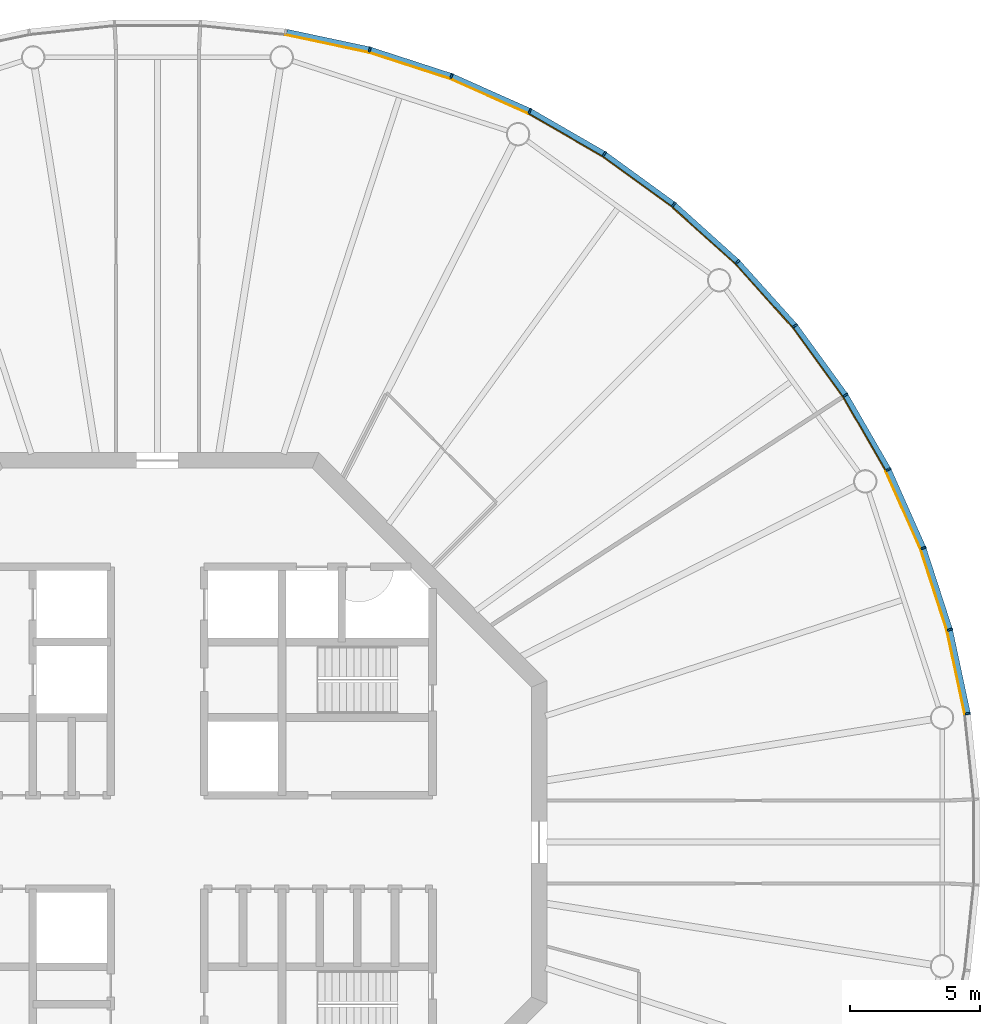
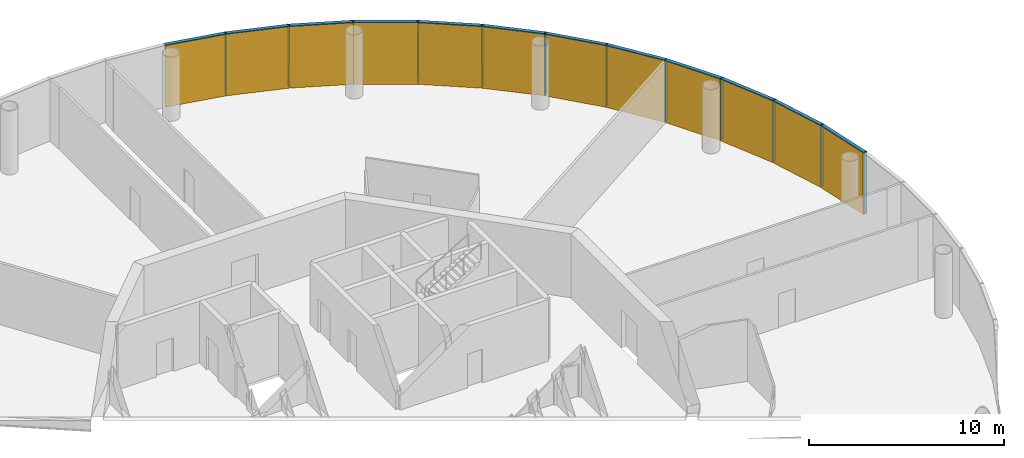
# One storey, part 12 of 13: 24 members, 4 curtain walls.
"""IFC4 building model written with IfcOpenShell, lengths in metres."""

from ifc_helpers import new_model, si_unit, direction, frame, origin, origin_2d, place, context, subcontext, project, spatial, polyline, rectangle, outline, extrude, material, layer, layer_set, material_profile, profile_set, type_object, element, aggregate, save


model = new_model("IFC4")

# Units and contexts
model_context = context("Model", 3, precision=1e-05, world=origin(), true_north=direction((0.0, 1.0)))
body_context = subcontext(model_context, "Body", "Model", "MODEL_VIEW")
ifc_project = project(units=[si_unit("LENGTHUNIT", "METRE"), si_unit("AREAUNIT", "SQUARE_METRE"), si_unit("VOLUMEUNIT", "CUBIC_METRE"), si_unit("PLANEANGLEUNIT", "RADIAN"), si_unit("MASSUNIT", "GRAM", prefix="KILO")], contexts=[model_context])

# Member
ifc_material_1 = material(Name="Anodised aluminium", Category="aluminium")
ifc_material_profile_1 = material_profile(ifc_material_1, rectangle(XDim=0.070068359375, YDim=0.205078125, at=origin_2d()), Name="Mullion 70 x 205 mm anodised aluminium")
ifc_profile_set_1 = profile_set([ifc_material_profile_1], Name="Anodised aluminium")
member_type_1 = type_object("IfcMemberType", Name="Mullion 70 x 205 mm anodised aluminium", PredefinedType="MULLION", material=ifc_profile_set_1)
site_placement = place(None, origin())
building_placement = place(site_placement, origin())
storey_placement = place(building_placement, frame((0.0, 0.0, 360.0)))
member_1_placement = place(storey_placement, frame((121.21337890625, 84.943603515625, 0.0), z_axis=(0.0, 0.0, 1.0), x_axis=(-0.15643446504, 0.987688340595, 0.0)))
member_1 = element("IfcMember", 1, at=member_1_placement, type_object=member_type_1, Name="MULLION L83-00", PredefinedType="MULLION", context=body_context, shape_type="SweptSolid", body=[
    extrude(rectangle(XDim=0.070068359375, YDim=0.205078125, at=origin_2d()), origin(), (0.0, 0.0, 1.0), 3.85009765625),
])

member_2_placement = place(storey_placement, frame((120.525634765625, 88.179443359375, 0.0), z_axis=(0.0, 0.0, 1.0), x_axis=(-0.258819045103, 0.965925826289, 0.0)))
member_2 = element("IfcMember", 2, at=member_2_placement, type_object=member_type_1, Name="MULLION L83-01", PredefinedType="MULLION", context=body_context, shape_type="SweptSolid", body=[
    extrude(rectangle(XDim=0.070068359375, YDim=0.205078125, at=origin_2d()), origin(), (0.0, 0.0, 1.0), 3.85009765625),
])

member_3_placement = place(storey_placement, frame((119.50341796875, 91.325439453125, 0.0), z_axis=(0.0, 0.0, 1.0), x_axis=(-0.358367949545, 0.933580426497, 0.0)))
member_3 = element("IfcMember", 3, at=member_3_placement, type_object=member_type_1, Name="MULLION L83-02", PredefinedType="MULLION", context=body_context, shape_type="SweptSolid", body=[
    extrude(rectangle(XDim=0.070068359375, YDim=0.205078125, at=origin_2d()), origin(), (0.0, 0.0, 1.0), 3.85009765625),
])

member_4_placement = place(storey_placement, frame((118.157958984375, 94.34716796875, 0.0), z_axis=(0.0, 0.0, 1.0), x_axis=(-0.45399049974, 0.891006524188, 0.0)))
member_4 = element("IfcMember", 4, at=member_4_placement, type_object=member_type_1, Name="MULLION L83-03", PredefinedType="MULLION", context=body_context, shape_type="SweptSolid", body=[
    extrude(rectangle(XDim=0.070068359375, YDim=0.205078125, at=origin_2d()), origin(), (0.0, 0.0, 1.0), 3.85009765625),
])

member_5_placement = place(storey_placement, frame((116.504150390625, 97.2119140625, 0.0), z_axis=(0.0, 0.0, 1.0), x_axis=(-0.544639035015, 0.838670567945, 0.0)))
member_5 = element("IfcMember", 5, at=member_5_placement, type_object=member_type_1, Name="MULLION L83-04", PredefinedType="MULLION", context=body_context, shape_type="SweptSolid", body=[
    extrude(rectangle(XDim=0.070068359375, YDim=0.205078125, at=origin_2d()), origin(), (0.0, 0.0, 1.0), 3.85009765625),
])

member_6_placement = place(storey_placement, frame((114.559814453125, 99.88818359375, 0.0), z_axis=(0.0, 0.0, 1.0), x_axis=(-0.62932039105, 0.777145961457, 0.0)))
member_6 = element("IfcMember", 6, at=member_6_placement, type_object=member_type_1, Name="MULLION L83-05", PredefinedType="MULLION", context=body_context, shape_type="SweptSolid", body=[
    extrude(rectangle(XDim=0.070068359375, YDim=0.205078125, at=origin_2d()), origin(), (0.0, 0.0, 1.0), 3.85009765625),
])

member_7_placement = place(storey_placement, frame((112.346435546875, 102.346435546875, 0.0), z_axis=(0.0, 0.0, 1.0), x_axis=(-0.707106781187, 0.707106781187, 0.0)))
member_7 = element("IfcMember", 7, at=member_7_placement, type_object=member_type_1, Name="MULLION L83-06", PredefinedType="MULLION", context=body_context, shape_type="SweptSolid", body=[
    extrude(rectangle(XDim=0.070068359375, YDim=0.205078125, at=origin_2d()), origin(), (0.0, 0.0, 1.0), 3.85009765625),
])

member_8_placement = place(storey_placement, frame((109.88818359375, 104.559814453125, 0.0), z_axis=(0.0, 0.0, 1.0), x_axis=(-0.777145961457, 0.62932039105, 0.0)))
member_8 = element("IfcMember", 8, at=member_8_placement, type_object=member_type_1, Name="MULLION L83-07", PredefinedType="MULLION", context=body_context, shape_type="SweptSolid", body=[
    extrude(rectangle(XDim=0.070068359375, YDim=0.205078125, at=origin_2d()), origin(), (0.0, 0.0, 1.0), 3.85009765625),
])

member_9_placement = place(storey_placement, frame((107.2119140625, 106.504150390625, 0.0), z_axis=(0.0, 0.0, 1.0), x_axis=(-0.838670567945, 0.544639035015, 0.0)))
member_9 = element("IfcMember", 9, at=member_9_placement, type_object=member_type_1, Name="MULLION L83-08", PredefinedType="MULLION", context=body_context, shape_type="SweptSolid", body=[
    extrude(rectangle(XDim=0.070068359375, YDim=0.205078125, at=origin_2d()), origin(), (0.0, 0.0, 1.0), 3.85009765625),
])

member_10_placement = place(storey_placement, frame((104.34716796875, 108.157958984375, 0.0), z_axis=(0.0, 0.0, 1.0), x_axis=(-0.891006524188, 0.45399049974, 0.0)))
member_10 = element("IfcMember", 10, at=member_10_placement, type_object=member_type_1, Name="MULLION L83-09", PredefinedType="MULLION", context=body_context, shape_type="SweptSolid", body=[
    extrude(rectangle(XDim=0.070068359375, YDim=0.205078125, at=origin_2d()), origin(), (0.0, 0.0, 1.0), 3.85009765625),
])

member_11_placement = place(storey_placement, frame((101.325439453125, 109.50341796875, 0.0), z_axis=(0.0, 0.0, 1.0), x_axis=(-0.933580426497, 0.358367949545, 0.0)))
member_11 = element("IfcMember", 11, at=member_11_placement, type_object=member_type_1, Name="MULLION L83-10", PredefinedType="MULLION", context=body_context, shape_type="SweptSolid", body=[
    extrude(rectangle(XDim=0.070068359375, YDim=0.205078125, at=origin_2d()), origin(), (0.0, 0.0, 1.0), 3.85009765625),
])

member_12_placement = place(storey_placement, frame((98.179443359375, 110.525634765625, 0.0), z_axis=(0.0, 0.0, 1.0), x_axis=(-0.965925826289, 0.258819045103, 0.0)))
member_12 = element("IfcMember", 12, at=member_12_placement, type_object=member_type_1, Name="MULLION L83-11", PredefinedType="MULLION", context=body_context, shape_type="SweptSolid", body=[
    extrude(rectangle(XDim=0.070068359375, YDim=0.205078125, at=origin_2d()), origin(), (0.0, 0.0, 1.0), 3.85009765625),
])

ifc_material_2 = material(Name="Anodised aluminium", Category="aluminium")
ifc_material_profile_2 = material_profile(ifc_material_2, rectangle(XDim=0.205078125, YDim=0.195068359375, at=origin_2d()), Name="Transom 195 x 205 mm anodised aluminium")
ifc_profile_set_2 = profile_set([ifc_material_profile_2], Name="Anodised aluminium")
member_type_2 = type_object("IfcMemberType", Name="Transom 195 x 205 mm anodised aluminium", PredefinedType="USERDEFINED", material=ifc_profile_set_2)
member_13_placement = place(storey_placement, frame((121.205078125, 84.983154296875, 3.75244140625), z_axis=(-0.207885898771, 0.978153082647, 0.0), x_axis=(-0.978153082647, -0.207885898771, 0.0)))
member_13 = element("IfcMember", 13, at=member_13_placement, type_object=member_type_2, Name="TRANSOM L83-00", ObjectType="TRANSOM", PredefinedType="USERDEFINED", context=body_context, shape_type="SweptSolid", body=[
    extrude(rectangle(XDim=0.205078125, YDim=0.195068359375, at=origin_2d()), origin(), (0.0, 0.0, 1.0), 3.227294921875),
])

member_14_placement = place(storey_placement, frame((120.513427734375, 88.2177734375, 3.75244140625), z_axis=(-0.309046726844, 0.951046855117, 0.0), x_axis=(-0.951046855117, -0.309046726844, 0.0)))
member_14 = element("IfcMember", 14, at=member_14_placement, type_object=member_type_2, Name="TRANSOM L83-01", ObjectType="TRANSOM", PredefinedType="USERDEFINED", context=body_context, shape_type="SweptSolid", body=[
    extrude(rectangle(XDim=0.205078125, YDim=0.195068359375, at=origin_2d()), origin(), (0.0, 0.0, 1.0), 3.22705078125),
])

member_15_placement = place(storey_placement, frame((119.4873046875, 91.3623046875, 3.75244140625), z_axis=(-0.406791170024, 0.913521178731, 0.0), x_axis=(-0.913521178731, -0.406791170024, 0.0)))
member_15 = element("IfcMember", 15, at=member_15_placement, type_object=member_type_2, Name="TRANSOM L83-02", ObjectType="TRANSOM", PredefinedType="USERDEFINED", context=body_context, shape_type="SweptSolid", body=[
    extrude(rectangle(XDim=0.205078125, YDim=0.195068359375, at=origin_2d()), origin(), (0.0, 0.0, 1.0), 3.22705078125),
])

member_16_placement = place(storey_placement, frame((118.137939453125, 94.38232421875, 3.75244140625), z_axis=(-0.500004055213, 0.866023062494, 0.0), x_axis=(-0.866023062494, -0.500004055213, 0.0)))
member_16 = element("IfcMember", 16, at=member_16_placement, type_object=member_type_2, Name="TRANSOM L83-03", ObjectType="TRANSOM", PredefinedType="USERDEFINED", context=body_context, shape_type="SweptSolid", body=[
    extrude(rectangle(XDim=0.205078125, YDim=0.195068359375, at=origin_2d()), origin(), (0.0, 0.0, 1.0), 3.22705078125),
])

member_17_placement = place(storey_placement, frame((116.48046875, 97.24462890625, 3.75244140625), z_axis=(-0.587802790201, 0.809004252048, 0.0), x_axis=(-0.809004252048, -0.587802790201, 0.0)))
member_17 = element("IfcMember", 17, at=member_17_placement, type_object=member_type_2, Name="TRANSOM L83-04", ObjectType="TRANSOM", PredefinedType="USERDEFINED", context=body_context, shape_type="SweptSolid", body=[
    extrude(rectangle(XDim=0.205078125, YDim=0.195068359375, at=origin_2d()), origin(), (0.0, 0.0, 1.0), 3.227294921875),
])

member_18_placement = place(storey_placement, frame((114.532958984375, 99.918212890625, 3.75244140625), z_axis=(-0.669144438484, 0.743132370743, 0.0), x_axis=(-0.743132370743, -0.669144438484, 0.0)))
member_18 = element("IfcMember", 18, at=member_18_placement, type_object=member_type_2, Name="TRANSOM L83-05", ObjectType="TRANSOM", PredefinedType="USERDEFINED", context=body_context, shape_type="SweptSolid", body=[
    extrude(rectangle(XDim=0.205078125, YDim=0.195068359375, at=origin_2d()), origin(), (0.0, 0.0, 1.0), 3.22705078125),
])

member_19_placement = place(storey_placement, frame((112.31640625, 102.37353515625, 3.75244140625), z_axis=(-0.743132370743, 0.669144438484, 0.0), x_axis=(-0.669144438484, -0.743132370743, 0.0)))
member_19 = element("IfcMember", 19, at=member_19_placement, type_object=member_type_2, Name="TRANSOM L83-06", ObjectType="TRANSOM", PredefinedType="USERDEFINED", context=body_context, shape_type="SweptSolid", body=[
    extrude(rectangle(XDim=0.205078125, YDim=0.195068359375, at=origin_2d()), origin(), (0.0, 0.0, 1.0), 3.22705078125),
])

member_20_placement = place(storey_placement, frame((109.85546875, 104.58349609375, 3.75244140625), z_axis=(-0.809004252048, 0.587802790201, 0.0), x_axis=(-0.587802790201, -0.809004252048, 0.0)))
member_20 = element("IfcMember", 20, at=member_20_placement, type_object=member_type_2, Name="TRANSOM L83-07", ObjectType="TRANSOM", PredefinedType="USERDEFINED", context=body_context, shape_type="SweptSolid", body=[
    extrude(rectangle(XDim=0.205078125, YDim=0.195068359375, at=origin_2d()), origin(), (0.0, 0.0, 1.0), 3.227294921875),
])

member_21_placement = place(storey_placement, frame((107.177001953125, 106.5244140625, 3.75244140625), z_axis=(-0.866023062494, 0.500004055213, 0.0), x_axis=(-0.500004055213, -0.866023062494, 0.0)))
member_21 = element("IfcMember", 21, at=member_21_placement, type_object=member_type_2, Name="TRANSOM L83-08", ObjectType="TRANSOM", PredefinedType="USERDEFINED", context=body_context, shape_type="SweptSolid", body=[
    extrude(rectangle(XDim=0.205078125, YDim=0.195068359375, at=origin_2d()), origin(), (0.0, 0.0, 1.0), 3.22705078125),
])

member_22_placement = place(storey_placement, frame((104.310302734375, 108.174560546875, 3.75244140625), z_axis=(-0.913521178731, 0.406791170024, 0.0), x_axis=(-0.406791170024, -0.913521178731, 0.0)))
member_22 = element("IfcMember", 22, at=member_22_placement, type_object=member_type_2, Name="TRANSOM L83-09", ObjectType="TRANSOM", PredefinedType="USERDEFINED", context=body_context, shape_type="SweptSolid", body=[
    extrude(rectangle(XDim=0.205078125, YDim=0.195068359375, at=origin_2d()), origin(), (0.0, 0.0, 1.0), 3.22705078125),
])

member_23_placement = place(storey_placement, frame((101.286865234375, 109.51611328125, 3.75244140625), z_axis=(-0.951046855117, 0.309046726844, 0.0), x_axis=(-0.309046726844, -0.951046855117, 0.0)))
member_23 = element("IfcMember", 23, at=member_23_placement, type_object=member_type_2, Name="TRANSOM L83-10", ObjectType="TRANSOM", PredefinedType="USERDEFINED", context=body_context, shape_type="SweptSolid", body=[
    extrude(rectangle(XDim=0.205078125, YDim=0.195068359375, at=origin_2d()), origin(), (0.0, 0.0, 1.0), 3.22705078125),
])

member_24_placement = place(storey_placement, frame((98.139892578125, 110.5341796875, 3.75244140625), z_axis=(-0.978153082647, 0.207885898771, 0.0), x_axis=(-0.207885898771, -0.978153082647, 0.0)))
member_24 = element("IfcMember", 24, at=member_24_placement, type_object=member_type_2, Name="TRANSOM L83-11", ObjectType="TRANSOM", PredefinedType="USERDEFINED", context=body_context, shape_type="SweptSolid", body=[
    extrude(rectangle(XDim=0.205078125, YDim=0.195068359375, at=origin_2d()), origin(), (0.0, 0.0, 1.0), 3.227294921875),
])

# Site, building, storey
site = spatial("IfcSite", under=ifc_project, at=site_placement, CompositionType="ELEMENT")
building = spatial("IfcBuilding", under=site, at=building_placement, Name="Entoto Ring Tower", CompositionType="ELEMENT")
storey = spatial("IfcBuildingStorey", under=building, at=storey_placement, Name="L83", CompositionType="ELEMENT", Elevation=360.0)

# Curtain wall
ifc_material_3 = material(Name="Clear low-iron glass", Category="glass")
ifc_layer = layer(ifc_material_3, 0.035888671875)
ifc_layer_set = layer_set([ifc_layer], Name="Clear low-iron glass")
curtain_wall_type = type_object("IfcCurtainWallType", Name="Curtain wall system CW6 glazing 36 mm", PredefinedType="NOTDEFINED", material=ifc_layer_set)
curtain_wall_1_placement = place(storey_placement, origin())
curtain_wall_1 = element("IfcCurtainWall", 25, at=curtain_wall_1_placement, inside=storey, type_object=curtain_wall_type, Name="CW6 L83-01", PredefinedType="NOTDEFINED", context=body_context, shape_type="SweptSolid", body=[
    extrude(outline(polyline([(121.1123046875, 84.927734375), (120.4267578125, 88.15283203125), (119.40771484375, 91.28857421875), (118.066650390625, 94.30078125), (118.03466796875, 94.284423828125), (119.3740234375, 91.275634765625), (120.391845703125, 88.1435546875), (121.07666015625, 84.922119140625), (121.1123046875, 84.927734375)])), origin(), (0.0, 0.0, 1.0), 3.85009765625),
])

aggregate(curtain_wall_1, [member_1, member_2, member_3, member_13, member_14, member_15])

curtain_wall_2_placement = place(storey_placement, origin())
curtain_wall_2 = element("IfcCurtainWall", 26, at=curtain_wall_2_placement, inside=storey, type_object=curtain_wall_type, Name="CW6 L83-02", PredefinedType="NOTDEFINED", context=body_context, shape_type="SweptSolid", body=[
    extrude(outline(polyline([(118.066650390625, 94.30078125), (116.418212890625, 97.15625), (114.47998046875, 99.823486328125), (112.27392578125, 102.27392578125), (112.248291015625, 102.248291015625), (114.4521484375, 99.801025390625), (116.387939453125, 97.136474609375), (118.03466796875, 94.284423828125), (118.066650390625, 94.30078125)])), origin(), (0.0, 0.0, 1.0), 3.85009765625),
])

aggregate(curtain_wall_2, [member_4, member_5, member_6, member_16, member_17, member_18])

curtain_wall_3_placement = place(storey_placement, origin())
curtain_wall_3 = element("IfcCurtainWall", 27, at=curtain_wall_3_placement, inside=storey, type_object=curtain_wall_type, Name="CW6 L83-03", PredefinedType="NOTDEFINED", context=body_context, shape_type="SweptSolid", body=[
    extrude(outline(polyline([(112.27392578125, 102.27392578125), (109.823486328125, 104.47998046875), (107.15625, 106.418212890625), (104.30078125, 108.066650390625), (104.284423828125, 108.03466796875), (107.136474609375, 106.387939453125), (109.801025390625, 104.4521484375), (112.248291015625, 102.248291015625), (112.27392578125, 102.27392578125)])), origin(), (0.0, 0.0, 1.0), 3.85009765625),
])

aggregate(curtain_wall_3, [member_7, member_8, member_9, member_19, member_20, member_21])

curtain_wall_4_placement = place(storey_placement, origin())
curtain_wall_4 = element("IfcCurtainWall", 28, at=curtain_wall_4_placement, inside=storey, type_object=curtain_wall_type, Name="CW6 L83-04", PredefinedType="NOTDEFINED", context=body_context, shape_type="SweptSolid", body=[
    extrude(outline(polyline([(104.30078125, 108.066650390625), (101.28857421875, 109.40771484375), (98.15283203125, 110.4267578125), (94.927734375, 111.1123046875), (94.922119140625, 111.07666015625), (98.1435546875, 110.391845703125), (101.275634765625, 109.3740234375), (104.284423828125, 108.03466796875), (104.30078125, 108.066650390625)])), origin(), (0.0, 0.0, 1.0), 3.85009765625),
])

aggregate(curtain_wall_4, [member_10, member_11, member_12, member_22, member_23, member_24])

save(model, "model.ifc")
